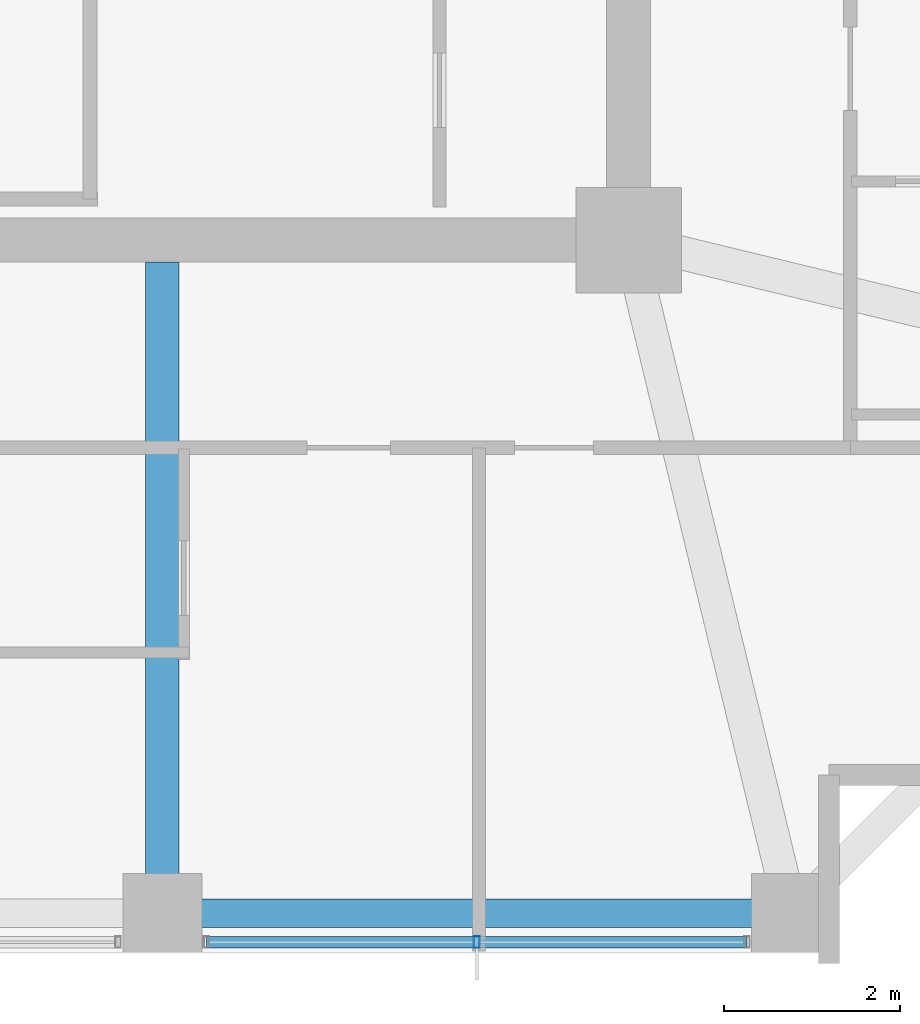
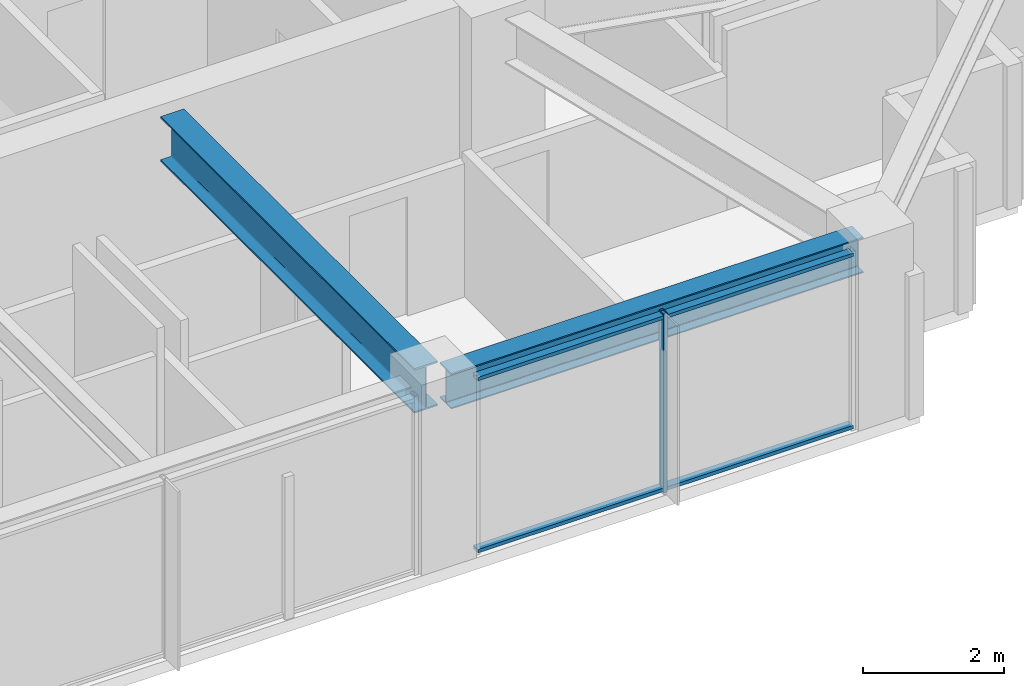
# One storey, part 7 of 33: 3 members, 2 beams, 1 element without a shape of its own.
"""IFC4 building model written with IfcOpenShell, lengths in metres."""

from ifc_helpers import new_model, si_unit, direction, frame, origin, origin_2d, place, context, subcontext, project, spatial, hollow_rectangle, i_section, extrude, material, material_profile, profile_set, type_object, element, aggregate, save


model = new_model("IFC4")

# Units and contexts
model_context = context("Model", 3, precision=1e-05, world=origin(), true_north=direction((0.0, 1.0)))
body_context = subcontext(model_context, "Body", "Model", "MODEL_VIEW")
ifc_project = project(units=[si_unit("LENGTHUNIT", "METRE"), si_unit("AREAUNIT", "SQUARE_METRE"), si_unit("VOLUMEUNIT", "CUBIC_METRE"), si_unit("PLANEANGLEUNIT", "RADIAN"), si_unit("MASSUNIT", "GRAM", prefix="KILO")], contexts=[model_context])

# Site, building, storey
site_placement = place(None, origin())
site = spatial("IfcSite", under=ifc_project, at=site_placement, CompositionType="ELEMENT")
building_placement = place(site_placement, origin())
building = spatial("IfcBuilding", under=site, at=building_placement, Name="Kolvaren Belvedere", CompositionType="ELEMENT")
storey_placement = place(building_placement, frame((0.0, 0.0, 128.300048828125)))
storey = spatial("IfcBuildingStorey", under=building, at=storey_placement, Name="L37", CompositionType="ELEMENT", Elevation=128.300048828125)

# Beams
ifc_material_1 = material(Name="Structural steel ASTM A992 Grade 50", Category="steel")
ifc_material_profile_1 = material_profile(ifc_material_1, i_section(OverallWidth=0.381103515625, OverallDepth=0.77294921875, WebThickness=0.0166015625, FlangeThickness=0.027099609375, FilletRadius=0.02392578125, at=origin_2d()), Name="W30X173")
ifc_profile_set_1 = profile_set([ifc_material_profile_1], Name="Structural steel ASTM A992 Grade 50")
beam_type_1 = type_object("IfcBeamType", Name="BM-GIRD-W30X173", PredefinedType="BEAM", material=ifc_profile_set_1)
beam_1_placement = place(storey_placement, frame((4.60009765625, -10.14990234375, 2.71337890625), z_axis=(0.0, -1.0, 0.0), x_axis=(1.0, 0.0, 0.0)))
element("IfcBeam", 1, at=beam_1_placement, inside=storey, type_object=beam_type_1, Name="L37 South Radial Girder P", PredefinedType="BEAM", context=body_context, shape_type="SweptSolid", body=[
    extrude(i_section(OverallWidth=0.381103515625, OverallDepth=0.77294921875, WebThickness=0.0166015625, FlangeThickness=0.027099609375, FilletRadius=0.02392578125, at=origin_2d()), origin(), (0.0, 0.0, 1.0), 7.197509765625),
])
ifc_material_2 = material(Name="Structural steel ASTM A992 Grade 50", Category="steel")
ifc_material_profile_2 = material_profile(ifc_material_2, i_section(OverallWidth=0.324951171875, OverallDepth=0.615966796875, WebThickness=0.013916015625, FlangeThickness=0.021484375, FilletRadius=0.02001953125, at=origin_2d()), Name="W24X117")
ifc_profile_set_2 = profile_set([ifc_material_profile_2], Name="Structural steel ASTM A992 Grade 50")
beam_type_2 = type_object("IfcBeamType", Name="BM-SPAN-W24X117", PredefinedType="SPANDREL", material=ifc_profile_set_2)
beam_2_placement = place(storey_placement, frame((4.802490234375, -17.550048828125, 2.7919921875), z_axis=(1.0, 0.0, 0.0), x_axis=(0.0, 1.0, 0.0)))
element("IfcBeam", 2, at=beam_2_placement, inside=storey, type_object=beam_type_2, Name="L37 Perimeter Spandrel S3-S4", PredefinedType="SPANDREL", context=body_context, shape_type="SweptSolid", body=[
    extrude(i_section(OverallWidth=0.324951171875, OverallDepth=0.615966796875, WebThickness=0.013916015625, FlangeThickness=0.021484375, FilletRadius=0.02001953125, at=origin_2d()), origin(), (0.0, 0.0, 1.0), 6.7451171875),
])

# Curtain wall, members
ifc_material_3 = material(Name="Anodised pale-metal aluminium AA 6063-T6", Category="aluminium")
curtain_wall_type = type_object("IfcCurtainWallType", Name="CW-Z3-WAIST", PredefinedType="NOTDEFINED", material=ifc_material_3)
curtain_wall_placement = place(storey_placement, origin())
curtain_wall = element("IfcCurtainWall", 3, at=curtain_wall_placement, inside=storey, type_object=curtain_wall_type, Name="L37 Unitised Curtain Wall FCW-L37-S-B1", PredefinedType="NOTDEFINED")
ifc_material_4 = material(Name="Anodised pale-metal aluminium AA 6063-T6", Category="aluminium")
ifc_material_profile_3 = material_profile(ifc_material_4, hollow_rectangle(XDim=0.06494140625, YDim=0.1298828125, WallThickness=0.00390625, at=origin_2d()), Name="ALU-MUL-130X65")
ifc_profile_set_3 = profile_set([ifc_material_profile_3], Name="Anodised pale-metal aluminium AA 6063-T6")
member_type_1 = type_object("IfcMemberType", Name="CW-MUL-130", PredefinedType="MULLION", material=ifc_profile_set_3)
member_1_placement = place(storey_placement, frame((8.175048828125, -17.8798828125, 0.0), z_axis=(0.0, 0.0, 1.0), x_axis=(1.0, 0.0, 0.0)))
member_1 = element("IfcMember", 4, at=member_1_placement, type_object=member_type_1, Name="FCW-L37-S-B1 Unitised Mullion 2", PredefinedType="MULLION", context=body_context, shape_type="SweptSolid", body=[
    extrude(hollow_rectangle(XDim=0.06494140625, YDim=0.1298828125, WallThickness=0.00390625, at=origin_2d()), origin(), (0.0, 0.0, 1.0), 3.099853515625),
])
ifc_material_5 = material(Name="Anodised pale-metal aluminium AA 6063-T6", Category="aluminium")
ifc_material_profile_4 = material_profile(ifc_material_5, hollow_rectangle(XDim=0.06005859375, YDim=0.1298828125, WallThickness=0.00390625, at=origin_2d()), Name="ALU-TRN-130X60")
ifc_profile_set_4 = profile_set([ifc_material_profile_4], Name="Anodised pale-metal aluminium AA 6063-T6")
member_type_2 = type_object("IfcMemberType", Name="CW-TRN-130", PredefinedType="USERDEFINED", material=ifc_profile_set_4)
member_2_placement = place(storey_placement, frame((11.24755859375, -17.8798828125, 0.06005859375), z_axis=(-1.0, 0.0, 0.0), x_axis=(0.0, 0.0, 1.0)))
member_2 = element("IfcMember", 5, at=member_2_placement, type_object=member_type_2, Name="FCW-L37-S-B1 Sill Transom", ObjectType="TRANSOM", PredefinedType="USERDEFINED", context=body_context, shape_type="SweptSolid", body=[
    extrude(hollow_rectangle(XDim=0.06005859375, YDim=0.1298828125, WallThickness=0.00390625, at=origin_2d()), origin(), (0.0, 0.0, 1.0), 6.14501953125),
])
member_3_placement = place(storey_placement, frame((11.24755859375, -17.8798828125, 3.0400390625), z_axis=(-1.0, 0.0, 0.0), x_axis=(0.0, 0.0, 1.0)))
member_3 = element("IfcMember", 6, at=member_3_placement, type_object=member_type_2, Name="FCW-L37-S-B1 Head Transom", ObjectType="TRANSOM", PredefinedType="USERDEFINED", context=body_context, shape_type="SweptSolid", body=[
    extrude(hollow_rectangle(XDim=0.06005859375, YDim=0.1298828125, WallThickness=0.00390625, at=origin_2d()), origin(), (0.0, 0.0, 1.0), 6.14501953125),
])
aggregate(curtain_wall, [member_1, member_2, member_3])

save(model, "model.ifc")
